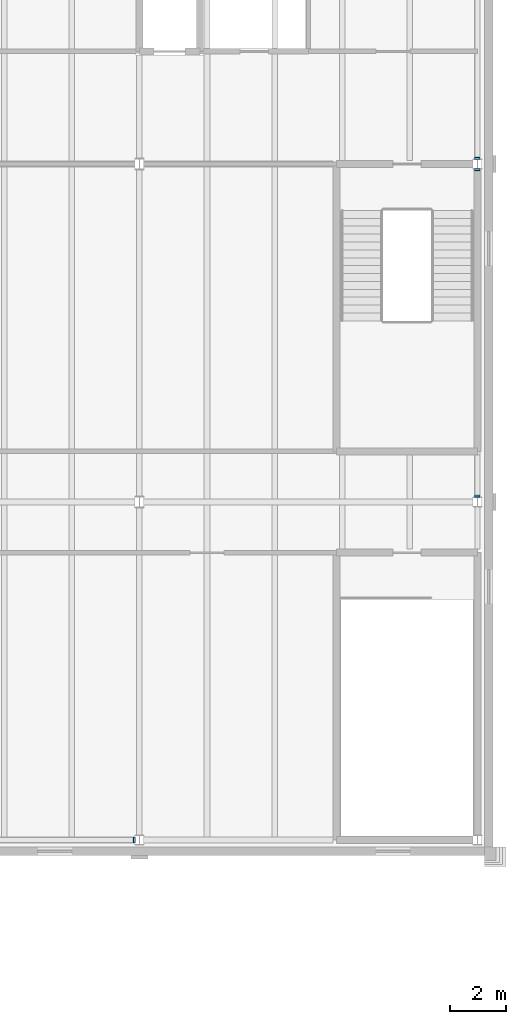
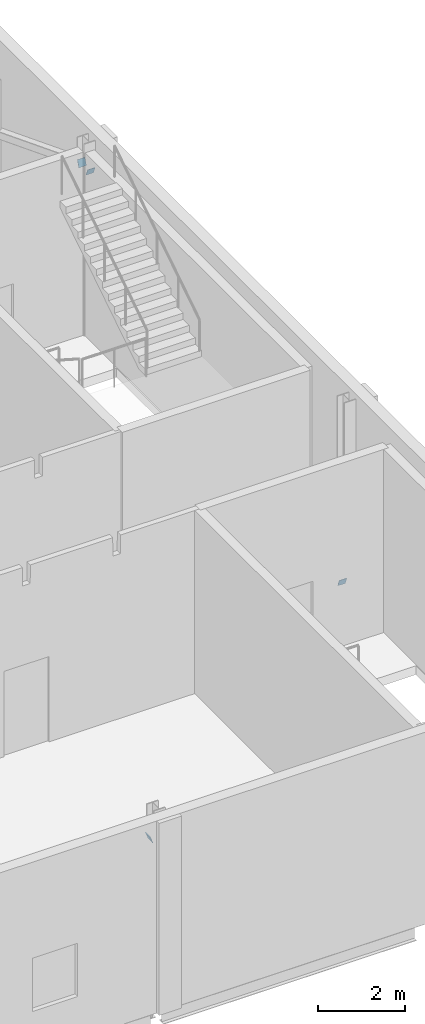
# One storey, part 313 of 321: 4 discrete accessories.
"""IFC4 building model written with IfcOpenShell, lengths in metres."""

import ifcopenshell
import ifcopenshell.guid

model = None  # the IFC model being written
_history = None  # IfcOwnerHistory: only IFC2X3 demands one
_inside = {}  # id of a spatial element -> (the spatial element, [elements in it])
_under = {}  # id of a project, library or spatial element -> (it, [spatial elements below it])
_declared = {}  # id of a project -> (the project, [libraries it declares])
_typed = {}  # id of a type object -> (the type object, [elements of that type])
_made_of = {}  # id of a material, layer set ... -> (it, [elements and type objects made of it])


def new_model(schema):
    """Start an empty IFC model of exactly this schema.

    Asked for "IFC4X3", IfcOpenShell would pick the latest addendum, in which some entities
    have other attributes; the version numbers below select the first issue.
    IFC2X3 requires an IfcOwnerHistory on every rooted entity: one is made here for all.
    """
    global model, _history
    if schema == "IFC4X3":
        model = ifcopenshell.file(schema_version=(4, 3, 0, 0))
    else:
        model = ifcopenshell.file(schema=schema)
    _inside.clear()
    _under.clear()
    _declared.clear()
    _typed.clear()
    _made_of.clear()
    _history = None
    if model.schema == "IFC2X3":
        org = make("IfcOrganization", Name="unknown")
        user = make(
            "IfcPersonAndOrganization",
            ThePerson=make("IfcPerson", FamilyName="unknown"),
            TheOrganization=org,
        )
        app = make(
            "IfcApplication",
            ApplicationDeveloper=org,
            Version="unknown",
            ApplicationFullName="unknown",
            ApplicationIdentifier="unknown",
        )
        _history = make(
            "IfcOwnerHistory",
            OwningUser=user,
            OwningApplication=app,
            ChangeAction="ADDED",
            CreationDate=0,
        )
    return model


def make(cls, **values):
    """One entity of the class cls with the attributes given. An attribute that is None is left unset."""
    return model.create_entity(
        cls, **{name: value for name, value in values.items() if value is not None}
    )


def rooted(cls, **values):
    """An entity with a GlobalId (a new one), such as an element, a storey or a relation."""
    return make(cls, GlobalId=ifcopenshell.guid.new(), OwnerHistory=_history, **values)


def si_unit(unit_type, name, prefix=None):
    """IfcSIUnit, for example si_unit("LENGTHUNIT", "METRE", prefix="MILLI")."""
    return make("IfcSIUnit", UnitType=unit_type, Prefix=prefix, Name=name)


def assignment(units):
    """IfcUnitAssignment: the units of a project."""
    return None if units is None else make("IfcUnitAssignment", Units=units)


def point(xyz):
    """IfcCartesianPoint."""
    return None if xyz is None else make("IfcCartesianPoint", Coordinates=xyz)


def direction(xyz):
    """IfcDirection."""
    return None if xyz is None else make("IfcDirection", DirectionRatios=xyz)


def frame(location, z_axis=None, x_axis=None):
    """IfcAxis2Placement3D, a coordinate frame: its origin and axes. An axis left out is left unset."""
    return make(
        "IfcAxis2Placement3D",
        Location=point(location),
        Axis=direction(z_axis),
        RefDirection=direction(x_axis),
    )


def frame_2d(location, x_axis=None):
    """IfcAxis2Placement2D, a coordinate frame in the plane: its origin and x axis."""
    return make(
        "IfcAxis2Placement2D", Location=point(location), RefDirection=direction(x_axis)
    )


def origin():
    """The frame at (0, 0, 0) with its axes left unset."""
    return frame((0.0, 0.0, 0.0))


def origin_2d():
    """The frame at (0, 0) in the plane with its x axis left unset."""
    return frame_2d((0.0, 0.0))


def place(relative_to, where):
    """IfcLocalPlacement: puts the frame where relative to a parent placement (None: the world)."""
    return make(
        "IfcLocalPlacement", PlacementRelTo=relative_to, RelativePlacement=where
    )


def context(
    kind, dimensions, precision=None, world=None, true_north=None, identifier=None
):
    """IfcGeometricRepresentationContext, for example the 3D "Model" context."""
    return make(
        "IfcGeometricRepresentationContext",
        ContextIdentifier=identifier,
        ContextType=kind,
        CoordinateSpaceDimension=dimensions,
        Precision=precision,
        WorldCoordinateSystem=world,
        TrueNorth=true_north,
    )


def subcontext(parent, identifier, kind, view, scale=None):
    """IfcGeometricRepresentationSubContext, for example "Body" below "Model"."""
    return make(
        "IfcGeometricRepresentationSubContext",
        ContextIdentifier=identifier,
        ContextType=kind,
        ParentContext=parent,
        TargetScale=scale,
        TargetView=view,
    )


def project(units=None, contexts=None):
    """IfcProject with its units and contexts."""
    return rooted(
        "IfcProject",
        Name="project",
        RepresentationContexts=contexts,
        UnitsInContext=assignment(units),
    )


def spatial(cls, under=None, at=None, **own):
    """A site, building, storey or space (cls), placed at a placement, below another one or the project."""
    s = rooted(cls, ObjectPlacement=at, **own)
    if under is not None:
        _under.setdefault(under.id(), (under, []))[1].append(s)
    return s


def profile(cls, at=None, kind="AREA", **sizes):
    """A parametric profile (cls). Its sizes go by their IFC names, for example OverallWidth=200.0."""
    return make(cls, ProfileType=kind, Position=at, **sizes)


def rectangle(**sizes):
    """IfcRectangleProfileDef."""
    return profile("IfcRectangleProfileDef", **sizes)


def extrude(swept, where, along, depth):
    """IfcExtrudedAreaSolid: the profile swept, set in the frame where, extruded along a direction by depth."""
    return make(
        "IfcExtrudedAreaSolid",
        SweptArea=swept,
        Position=where,
        ExtrudedDirection=direction(along),
        Depth=depth,
    )


def shape(context_of_items, identifier, shape_type, items):
    """IfcShapeRepresentation: the items that make up one representation, for example the "Body"."""
    return make(
        "IfcShapeRepresentation",
        ContextOfItems=context_of_items,
        RepresentationIdentifier=identifier,
        RepresentationType=shape_type,
        Items=items,
    )


def material(Name=None, Category=None):
    """IfcMaterial."""
    return make("IfcMaterial", Name=Name, Category=Category)


def material_profile(
    of_material, cross_section, Name=None, Category=None, Priority=None
):
    """IfcMaterialProfile: a cross section and its material."""
    return make(
        "IfcMaterialProfile",
        Name=Name,
        Material=of_material,
        Profile=cross_section,
        Priority=Priority,
        Category=Category,
    )


def profile_set(profiles, Name=None, composite=None):
    """IfcMaterialProfileSet."""
    return make(
        "IfcMaterialProfileSet",
        Name=Name,
        MaterialProfiles=profiles,
        CompositeProfile=composite,
    )


def made_of(thing, what):
    """Note that an element or type object is made of a material, layer set ...; save() writes the relation."""
    if what is not None:
        _made_of.setdefault(what.id(), (what, []))[1].append(thing)
    return thing


def type_object(cls, material=None, **own):
    """A type object (cls), such as IfcWallType, which elements share."""
    return made_of(rooted(cls, **own), material)


def element(
    cls,
    number,
    at=None,
    inside=None,
    cuts=None,
    type_object=None,
    material=None,
    context=None,
    identifier="Body",
    shape_type=None,
    held_by="IfcProductDefinitionShape",
    body=None,
    shapes=None,
    **own,
):
    """One element of the class cls, such as IfcWall. Its Tag is "e" and its number.

    at: its placement. inside: the storey or other place that contains it. cuts: it is an
    opening in that element (IfcRelVoidsElement). A single representation is given by context,
    identifier, shape_type and body (its items); several are given by shapes. held_by: the class
    of the entity that holds the representations. save() writes the other relations.
    """
    e = rooted(cls, Tag="e%d" % number, ObjectPlacement=at, **own)
    if body is not None:
        shapes = [shape(context, identifier, shape_type, body)]
    if shapes is not None:
        e.Representation = make(held_by, Representations=shapes)
    if inside is not None:
        _inside.setdefault(inside.id(), (inside, []))[1].append(e)
    if cuts is not None:
        rooted(
            "IfcRelVoidsElement", RelatingBuildingElement=cuts, RelatedOpeningElement=e
        )
    if type_object is not None:
        _typed.setdefault(type_object.id(), (type_object, []))[1].append(e)
    return made_of(e, material)


def aggregate(whole, parts):
    """IfcRelAggregates: a whole, such as a stair, and the parts it consists of."""
    return rooted("IfcRelAggregates", RelatingObject=whole, RelatedObjects=parts)


def save(model, path):
    """Write the relations noted so far, then the file.

    IfcRelAggregates (storeys below a building ...), IfcRelContainedInSpatialStructure (elements
    in a storey), IfcRelDefinesByType, IfcRelAssociatesMaterial and IfcRelDeclares: one each for
    every whole, place, type object, material and project.
    """
    for whole, parts in _under.values():
        aggregate(whole, parts)
    for where, things in _inside.values():
        rooted(
            "IfcRelContainedInSpatialStructure",
            RelatedElements=things,
            RelatingStructure=where,
        )
    for kind, things in _typed.values():
        rooted("IfcRelDefinesByType", RelatedObjects=things, RelatingType=kind)
    for what, things in _made_of.values():
        rooted("IfcRelAssociatesMaterial", RelatedObjects=things, RelatingMaterial=what)
    for by, libraries in _declared.values():
        rooted("IfcRelDeclares", RelatingContext=by, RelatedDefinitions=libraries)
    model.write(path)


model = new_model("IFC4")

# Units and contexts
model_context = context("Model", 3, precision=1e-05, world=origin(), true_north=direction((0.0, 1.0)))
body_context = subcontext(model_context, "Body", "Model", "MODEL_VIEW")
ifc_project = project(units=[si_unit("LENGTHUNIT", "METRE"), si_unit("AREAUNIT", "SQUARE_METRE"), si_unit("VOLUMEUNIT", "CUBIC_METRE"), si_unit("PLANEANGLEUNIT", "RADIAN"), si_unit("MASSUNIT", "GRAM", prefix="KILO")], contexts=[model_context])

# Site, building, storey
site_placement = place(None, origin())
site = spatial("IfcSite", under=ifc_project, at=site_placement, CompositionType="ELEMENT")
building_placement = place(site_placement, origin())
building = spatial("IfcBuilding", under=site, at=building_placement, Name="Ravi Spectrum Wholesale Market", CompositionType="ELEMENT")
storey_placement = place(building_placement, frame((0.0, 0.0, 10.800048828125)))
storey = spatial("IfcBuildingStorey", under=building, at=storey_placement, Name="L02", CompositionType="ELEMENT", Elevation=10.800048828125)

# Discrete accessories
ifc_material = material(Name="Steel S355", Category="steel")
ifc_material_profile = material_profile(ifc_material, rectangle(XDim=0.199951171875, YDim=0.199951171875, at=origin_2d()))
ifc_profile_set = profile_set([ifc_material_profile], Name="Steel S355")
discrete_accessory_type = type_object("IfcDiscreteAccessoryType", Name="End plate SHS 200x200x8", PredefinedType="BRACKET", material=ifc_profile_set)
for number, where, z_axis, x_axis, name in (
    (1, (269.814208984375, 18.0, 4.556640625), (0.937994498829, 0.0, 0.346650140872), (0.0, 1.0, 0.0), "End plate"),
    (2, (282.0, 30.206298828125, 0.093017578125), (0.0, -0.937994498829, -0.346650140872), (1.0, 0.0, 0.0), "End plate"),
    (3, (282.0, 41.793701171875, 4.606689453125), (0.0, 0.931242779706, 0.364399348581), (-1.0, 0.0, 0.0), "End plate"),
    (4, (282.0, 42.206298828125, 4.606689453125), (0.0, -0.931242779706, 0.364399348581), (1.0, 0.0, 0.0), "End plate"),
):
    element("IfcDiscreteAccessory", number, at=place(storey_placement, frame(where, z_axis=z_axis, x_axis=x_axis)), inside=storey, type_object=discrete_accessory_type, Name=name, PredefinedType="BRACKET", context=body_context, shape_type="SweptSolid", body=[
        extrude(rectangle(XDim=0.199951171875, YDim=0.199951171875, at=origin_2d()), origin(), (0.0, 0.0, 1.0), 0.011962890625),
    ])

save(model, "model.ifc")
